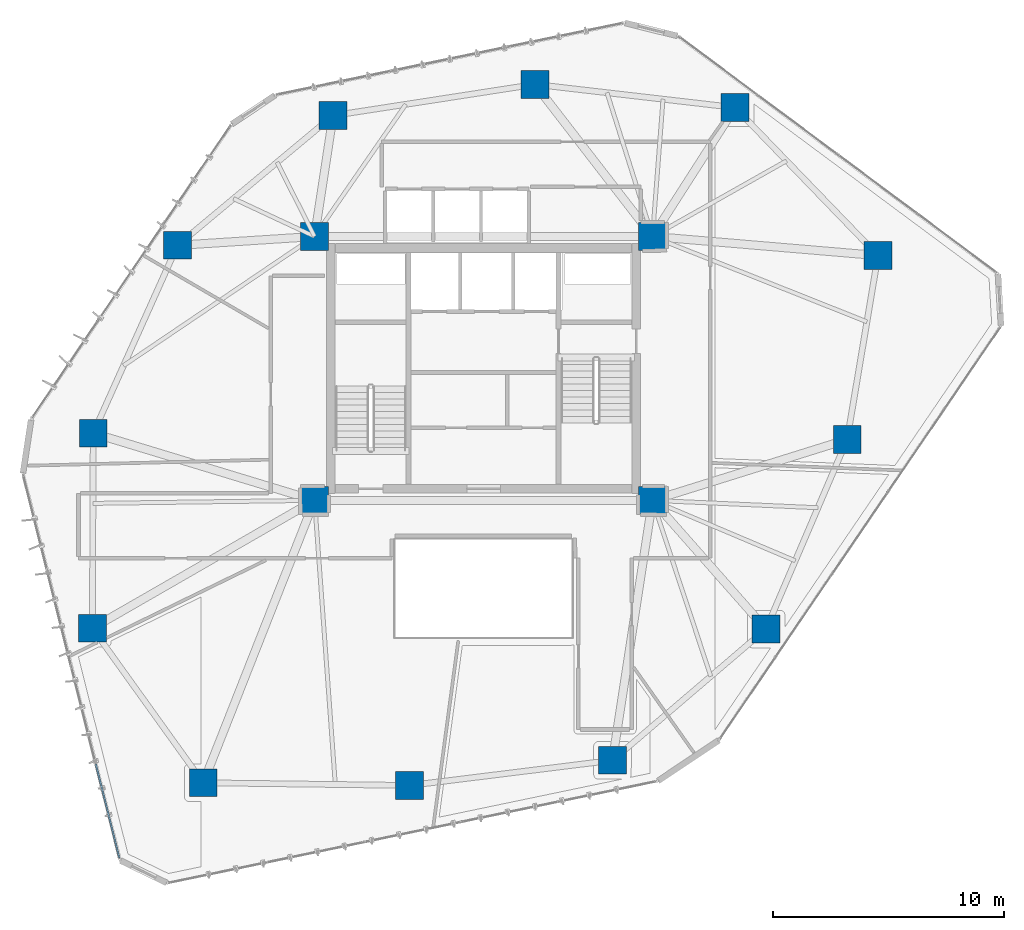
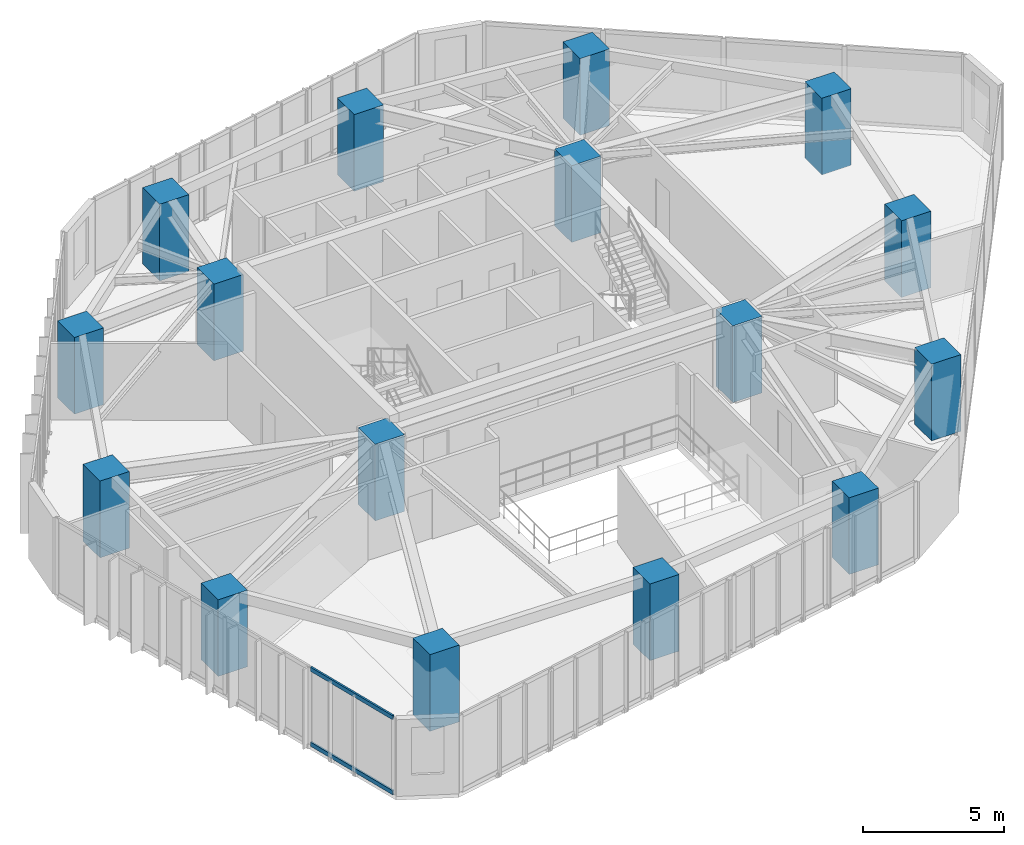
# One storey, part 1 of 22: 16 columns, 2 members, 1 element without a shape of its own.
"""IFC4 building model written with IfcOpenShell, lengths in metres."""

from ifc_helpers import new_model, si_unit, direction, frame, origin, origin_2d, place, context, subcontext, project, spatial, rectangle, hollow_rectangle, extrude, source, transform, mapped, material, layer, layer_set, material_profile, profile_set, type_object, type_shapes, element, aggregate, save


model = new_model("IFC4")

# Units and contexts
model_context = context("Model", 3, precision=1e-05, world=origin(), true_north=direction((0.0, 1.0)))
body_context = subcontext(model_context, "Body", "Model", "MODEL_VIEW")
ifc_project = project(units=[si_unit("LENGTHUNIT", "METRE"), si_unit("AREAUNIT", "SQUARE_METRE"), si_unit("VOLUMEUNIT", "CUBIC_METRE"), si_unit("PLANEANGLEUNIT", "RADIAN"), si_unit("MASSUNIT", "GRAM", prefix="KILO")], contexts=[model_context])

# Site, building, storey
site_placement = place(None, origin())
site = spatial("IfcSite", under=ifc_project, at=site_placement, CompositionType="ELEMENT")
building_placement = place(site_placement, origin())
building = spatial("IfcBuilding", under=site, at=building_placement, Name="Talar Marvaseh", CompositionType="ELEMENT")
storey_placement = place(building_placement, frame((0.0, 0.0, 125.39990234375)))
storey = spatial("IfcBuildingStorey", under=building, at=storey_placement, Name="L32", CompositionType="ELEMENT", Elevation=125.39990234375)

# Columns
ifc_material_1 = material(Name="Concrete C60/75", Category="concrete")
ifc_material_profile_1 = material_profile(ifc_material_1, rectangle(XDim=1.199951171875, YDim=1.199951171875, at=origin_2d()), Name="RC1200x1200")
ifc_profile_set_1 = profile_set([ifc_material_profile_1], Name="Concrete C60/75")
column_type = type_object("IfcColumnType", Name="Zone 2 Tube Column RC1200x1200", PredefinedType="COLUMN", material=ifc_profile_set_1)
for number, where, z_axis, x_axis, name in (
    (1, (36.865966796875, 42.470947265625, 0.0), (0.0, 0.0, 1.0), (1.0, 0.0, 0.0), "L32 Zone 2 Tube Column RC1200x1200"),
    (2, (43.0439453125, 36.075927734375, 0.0), (0.0, 0.0, 1.0), (1.0, 0.0, 0.0), "L32 Zone 2 Tube Column RC1200x1200"),
    (3, (41.708984375, 28.1279296875, 0.0), (0.0, 0.0, 1.0), (1.0, 0.0, 0.0), "L32 Zone 2 Tube Column RC1200x1200"),
    (4, (38.2060546875, 19.94091796875, 0.0), (0.0, 0.0, 1.0), (1.0, 0.0, 0.0), "L32 Zone 2 Tube Column RC1200x1200"),
    (5, (31.570068359375, 14.26806640625, 0.0), (0.0, 0.0, 1.0), (1.0, 0.0, 0.0), "L32 Zone 2 Tube Column RC1200x1200"),
    (6, (22.804931640625, 13.18310546875, 0.0), (0.0, 0.0, 1.0), (1.0, 0.0, 0.0), "L32 Zone 2 Tube Column RC1200x1200"),
    (7, (13.89111328125, 13.299072265625, 0.0), (0.0, 0.0, 1.0), (1.0, 0.0, 0.0), "L32 Zone 2 Tube Column RC1200x1200"),
    (8, (9.10107421875, 19.97705078125, 0.0), (0.0, 0.0, 1.0), (1.0, 0.0, 0.0), "L32 Zone 2 Tube Column RC1200x1200"),
    (9, (9.137939453125, 28.402099609375, 0.0), (0.0, 0.0, 1.0), (1.0, 0.0, 0.0), "L32 Zone 2 Tube Column RC1200x1200"),
    (10, (12.780029296875, 36.51708984375, 0.0), (0.0, 0.0, 1.0), (1.0, 0.0, 0.0), "L32 Zone 2 Tube Column RC1200x1200"),
    (11, (19.5009765625, 42.123046875, 0.0), (0.0, 0.0, 1.0), (1.0, 0.0, 0.0), "L32 Zone 2 Tube Column RC1200x1200"),
    (12, (28.221923828125, 43.471923828125, 0.0), (0.0, 0.0, 1.0), (1.0, 0.0, 0.0), "L32 Zone 2 Tube Column RC1200x1200"),
    (13, (18.699951171875, 25.5, 0.0), (0.0, 0.0, 1.0), (1.0, 0.0, 0.0), "L32 Zone 2 Tube Column RC1200x1200"),
    (14, (33.300048828125, 25.5, 0.0), (0.0, 0.0, 1.0), (1.0, 0.0, 0.0), "L32 Zone 2 Tube Column RC1200x1200"),
    (15, (33.300048828125, 36.89990234375, 0.0), (0.0, 0.0, 1.0), (1.0, 0.0, 0.0), "L32 Zone 2 Tube Column RC1200x1200"),
    (16, (18.699951171875, 36.89990234375, 0.0), (0.0, 0.0, 1.0), (1.0, 0.0, 0.0), "L32 Zone 2 Tube Column RC1200x1200"),
):
    element("IfcColumn", number, at=place(storey_placement, frame(where, z_axis=z_axis, x_axis=x_axis)), inside=storey, type_object=column_type, Name=name, PredefinedType="COLUMN", context=body_context, shape_type="SweptSolid", body=[
        extrude(rectangle(XDim=1.199951171875, YDim=1.199951171875, at=origin_2d()), origin(), (0.0, 0.0, 1.0), 3.31005859375),
    ])

# Curtain wall, members
ifc_material_2 = material(Name="Architectural Aluminium", Category="aluminium")
ifc_layer = layer(ifc_material_2, 0.199951171875)
ifc_layer_set = layer_set([ifc_layer], Name="Architectural Aluminium")
curtain_wall_type = type_object("IfcCurtainWallType", Name="Unitised Acoustic Library Curtain Wall Z2", PredefinedType="NOTDEFINED", material=ifc_layer_set)
curtain_wall_placement = place(storey_placement, origin())
curtain_wall = element("IfcCurtainWall", 17, at=curtain_wall_placement, inside=storey, type_object=curtain_wall_type, Name="L32 Unitised Acoustic Library Curtain Wall Z2", PredefinedType="NOTDEFINED")
ifc_material_profile_2 = material_profile(ifc_material_2, hollow_rectangle(XDim=0.074951171875, YDim=0.179931640625, WallThickness=0.0048828125, at=origin_2d()), Name="RHS180x75x5")
ifc_profile_set_2 = profile_set([ifc_material_profile_2], Name="Architectural Aluminium")
member_type = type_object("IfcMemberType", Name="Unitised Curtain Wall Transom RHS180x75x5", PredefinedType="USERDEFINED", material=ifc_profile_set_2)
shared_shape = source(origin(), body_context, "Body", "SweptSolid", [
    extrude(hollow_rectangle(XDim=0.074951171875, YDim=0.179931640625, WallThickness=0.0048828125, at=origin_2d()), origin(), (0.0, 0.0, 1.0), 4.185302734375),
])
type_shapes(member_type, [shared_shape])
member_1_placement = place(storey_placement, frame((10.269775390625, 10.0458984375, 0.03759765625), z_axis=(-0.243537439079, 0.969891496904, 0.0), x_axis=(-0.969891496904, -0.243537439079, 0.0)))
member_1 = element("IfcMember", 18, at=member_1_placement, type_object=member_type, Name="CW-Z2 transom 1.1", ObjectType="TRANSOM", PredefinedType="USERDEFINED", context=body_context, shape_type="MappedRepresentation", body=[
    mapped(shared_shape, transform((0.0, 0.0, 0.0), x_axis=(1.0, 0.0, 0.0), y_axis=(0.0, 1.0, 0.0), z_axis=(0.0, 0.0, 1.0), scale=1.0)),
])
member_2_placement = place(storey_placement, frame((10.269775390625, 10.0458984375, 3.272705078125), z_axis=(-0.243537439079, 0.969891496904, 0.0), x_axis=(-0.969891496904, -0.243537439079, 0.0)))
member_2 = element("IfcMember", 19, at=member_2_placement, type_object=member_type, Name="CW-Z2 transom 1.2", ObjectType="TRANSOM", PredefinedType="USERDEFINED", context=body_context, shape_type="MappedRepresentation", body=[
    mapped(shared_shape, transform((0.0, 0.0, 0.0), x_axis=(1.0, 0.0, 0.0), y_axis=(0.0, 1.0, 0.0), z_axis=(0.0, 0.0, 1.0), scale=1.0)),
])
aggregate(curtain_wall, [member_1, member_2])

save(model, "model.ifc")
